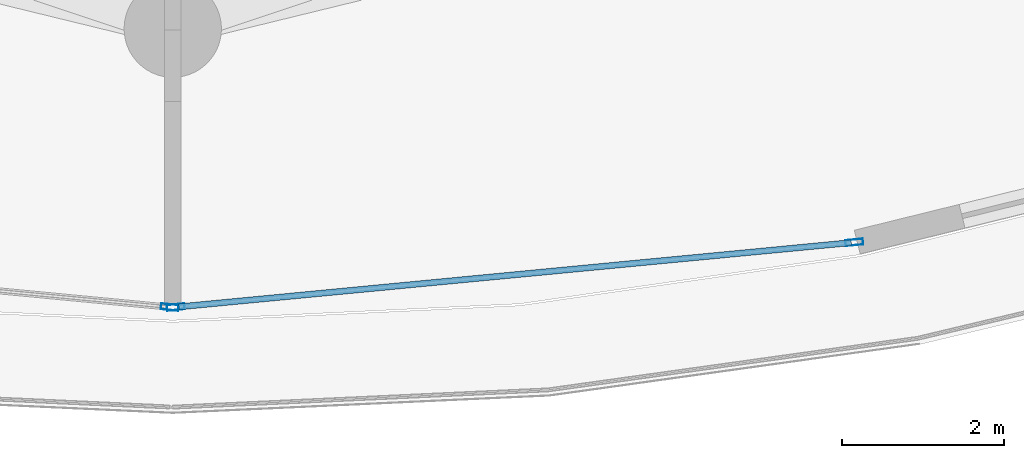
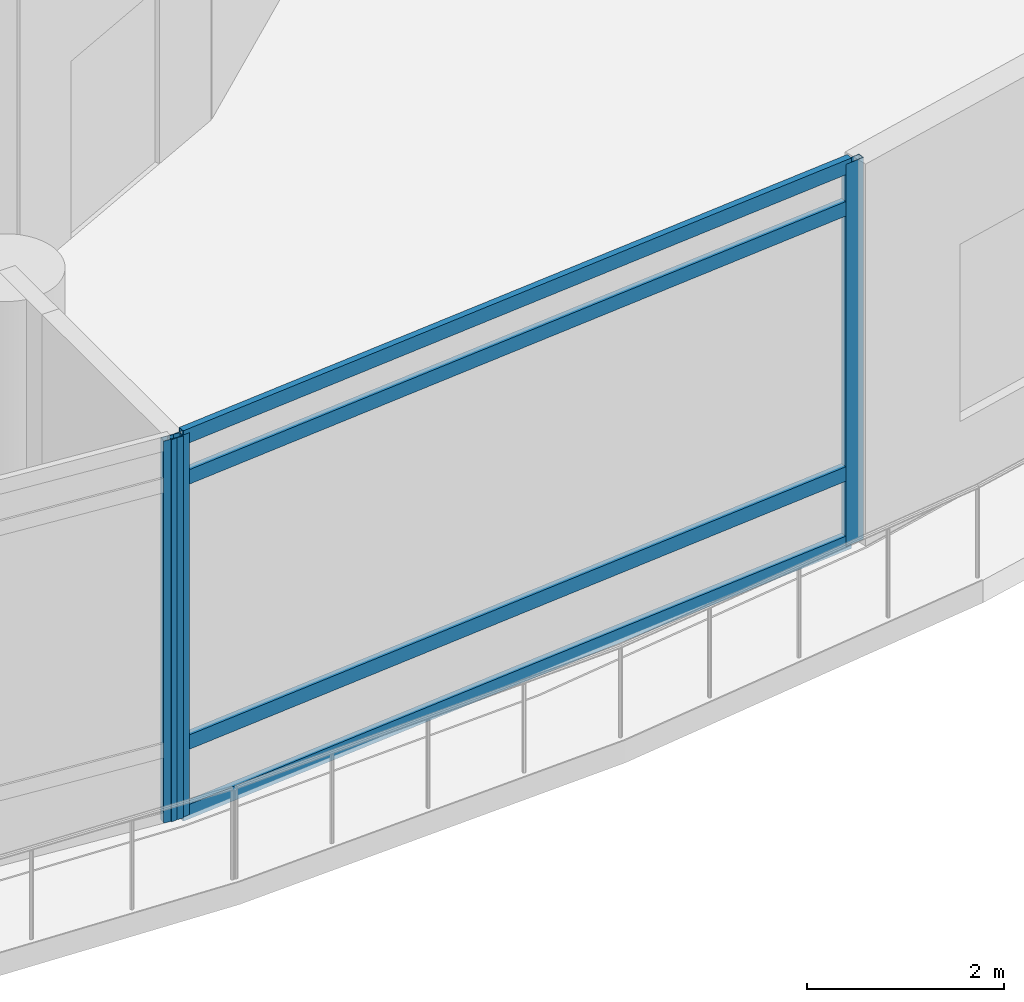
# One storey, part 11 of 34: 7 members, 2 elements without a shape of their own.
"""IFC4 building model written with IfcOpenShell, lengths in metres."""

from ifc_helpers import new_model, si_unit, direction, frame, origin, origin_2d, place, context, subcontext, project, spatial, hollow_rectangle, extrude, material, layer, layer_set, material_profile, profile_set, type_object, element, aggregate, save


model = new_model("IFC4")

# Units and contexts
model_context = context("Model", 3, precision=1e-05, world=origin(), true_north=direction((0.0, 1.0)))
body_context = subcontext(model_context, "Body", "Model", "MODEL_VIEW")
ifc_project = project(units=[si_unit("LENGTHUNIT", "METRE"), si_unit("AREAUNIT", "SQUARE_METRE"), si_unit("VOLUMEUNIT", "CUBIC_METRE"), si_unit("PLANEANGLEUNIT", "RADIAN"), si_unit("MASSUNIT", "GRAM", prefix="KILO")], contexts=[model_context])

# Site, building, storey
site_placement = place(None, origin())
site = spatial("IfcSite", under=ifc_project, at=site_placement, CompositionType="ELEMENT")
building_placement = place(site_placement, origin())
building = spatial("IfcBuilding", under=site, at=building_placement, Name="Nuhasar Tower", CompositionType="ELEMENT")
storey_placement = place(building_placement, frame((0.0, 0.0, 16.0)))
storey = spatial("IfcBuildingStorey", under=building, at=storey_placement, Name="L03", CompositionType="ELEMENT", Elevation=16.0)

# Curtain wall, member
ifc_material = material(Name="Aluminium 6063-T6", Category="aluminium")
ifc_layer = layer(ifc_material, 0.219970703125)
ifc_layer_set = layer_set([ifc_layer], Name="Aluminium 6063-T6")
curtain_wall_type = type_object("IfcCurtainWallType", Name="CW-PODIUM", PredefinedType="NOTDEFINED", material=ifc_layer_set)
curtain_wall_1_placement = place(storey_placement, origin())
curtain_wall_1 = element("IfcCurtainWall", 1, at=curtain_wall_1_placement, inside=storey, type_object=curtain_wall_type, Name="L03 Podium Curtain Wall Bay 18", PredefinedType="NOTDEFINED")
ifc_material_profile_1 = material_profile(ifc_material, hollow_rectangle(XDim=0.074951171875, YDim=0.219970703125, WallThickness=0.0048828125, at=origin_2d()), Name="CWM-1")
ifc_profile_set_1 = profile_set([ifc_material_profile_1], Name="Aluminium 6063-T6")
member_type_1 = type_object("IfcMemberType", Name="CW-MUL-S1", PredefinedType="MULLION", material=ifc_profile_set_1)
member_1_placement = place(storey_placement, frame((38.962646484375, 3.113525390625, 0.0), z_axis=(0.0, 0.0, 1.0), x_axis=(0.095092686697, 0.995468422873, 0.0)))
member_1 = element("IfcMember", 2, at=member_1_placement, type_object=member_type_1, Name="CW-P1 mullion 2", PredefinedType="MULLION", context=body_context, shape_type="SweptSolid", body=[
    extrude(hollow_rectangle(XDim=0.074951171875, YDim=0.219970703125, WallThickness=0.0048828125, at=origin_2d()), origin(), (0.0, 0.0, 1.0), 4.739990234375),
])
aggregate(curtain_wall_1, [member_1])

# Curtain wall, members
curtain_wall_2_placement = place(storey_placement, origin())
curtain_wall_2 = element("IfcCurtainWall", 3, at=curtain_wall_2_placement, inside=storey, type_object=curtain_wall_type, Name="L03 Podium Curtain Wall Bay 19", PredefinedType="NOTDEFINED")
member_2_placement = place(storey_placement, frame((39.037353515625, 3.113525390625, 0.0), z_axis=(0.0, 0.0, 1.0), x_axis=(-0.095092686697, 0.995468422873, 0.0)))
member_2 = element("IfcMember", 4, at=member_2_placement, type_object=member_type_1, Name="CW-P1 mullion 1", PredefinedType="MULLION", context=body_context, shape_type="SweptSolid", body=[
    extrude(hollow_rectangle(XDim=0.074951171875, YDim=0.219970703125, WallThickness=0.0048828125, at=origin_2d()), origin(), (0.0, 0.0, 1.0), 4.739990234375),
])
member_3_placement = place(storey_placement, frame((47.41064453125, 3.913330078125, 0.0), z_axis=(0.0, 0.0, 1.0), x_axis=(-0.095092686697, 0.995468422873, 0.0)))
member_3 = element("IfcMember", 5, at=member_3_placement, type_object=member_type_1, Name="CW-P1 mullion 2", PredefinedType="MULLION", context=body_context, shape_type="SweptSolid", body=[
    extrude(hollow_rectangle(XDim=0.074951171875, YDim=0.219970703125, WallThickness=0.0048828125, at=origin_2d()), origin(), (0.0, 0.0, 1.0), 4.739990234375),
])
ifc_material_profile_2 = material_profile(ifc_material, hollow_rectangle(XDim=0.074951171875, YDim=0.179931640625, WallThickness=0.00439453125, at=origin_2d()), Name="CWT-1")
ifc_profile_set_2 = profile_set([ifc_material_profile_2], Name="Aluminium 6063-T6")
member_type_2 = type_object("IfcMemberType", Name="CW-TRN-S1", PredefinedType="USERDEFINED", material=ifc_profile_set_2)
member_4_placement = place(storey_placement, frame((39.07470703125, 3.1171875, 0.03759765625), z_axis=(0.995468449453, 0.095092408443, 0.0), x_axis=(-0.095092408443, 0.995468449453, 0.0)))
member_4 = element("IfcMember", 6, at=member_4_placement, type_object=member_type_2, Name="CW-P1 transom 1.1", ObjectType="TRANSOM", PredefinedType="USERDEFINED", context=body_context, shape_type="SweptSolid", body=[
    extrude(hollow_rectangle(XDim=0.074951171875, YDim=0.179931640625, WallThickness=0.00439453125, at=origin_2d()), origin(), (0.0, 0.0, 1.0), 8.33642578125),
])
member_5_placement = place(storey_placement, frame((39.07470703125, 3.1171875, 0.89990234375), z_axis=(0.995468449453, 0.095092408443, 0.0), x_axis=(-0.095092408443, 0.995468449453, 0.0)))
member_5 = element("IfcMember", 7, at=member_5_placement, type_object=member_type_2, Name="CW-P1 transom 1.2", ObjectType="TRANSOM", PredefinedType="USERDEFINED", context=body_context, shape_type="SweptSolid", body=[
    extrude(hollow_rectangle(XDim=0.074951171875, YDim=0.179931640625, WallThickness=0.00439453125, at=origin_2d()), origin(), (0.0, 0.0, 1.0), 8.33642578125),
])
member_6_placement = place(storey_placement, frame((39.07470703125, 3.1171875, 4.18994140625), z_axis=(0.995468449453, 0.095092408443, 0.0), x_axis=(-0.095092408443, 0.995468449453, 0.0)))
member_6 = element("IfcMember", 8, at=member_6_placement, type_object=member_type_2, Name="CW-P1 transom 1.3", ObjectType="TRANSOM", PredefinedType="USERDEFINED", context=body_context, shape_type="SweptSolid", body=[
    extrude(hollow_rectangle(XDim=0.074951171875, YDim=0.179931640625, WallThickness=0.00439453125, at=origin_2d()), origin(), (0.0, 0.0, 1.0), 8.33642578125),
])
member_7_placement = place(storey_placement, frame((39.07470703125, 3.1171875, 4.702392578125), z_axis=(0.995468449453, 0.095092408443, 0.0), x_axis=(-0.095092408443, 0.995468449453, 0.0)))
member_7 = element("IfcMember", 9, at=member_7_placement, type_object=member_type_2, Name="CW-P1 transom 1.4", ObjectType="TRANSOM", PredefinedType="USERDEFINED", context=body_context, shape_type="SweptSolid", body=[
    extrude(hollow_rectangle(XDim=0.074951171875, YDim=0.179931640625, WallThickness=0.00439453125, at=origin_2d()), origin(), (0.0, 0.0, 1.0), 8.33642578125),
])
aggregate(curtain_wall_2, [member_2, member_3, member_4, member_5, member_6, member_7])

save(model, "model.ifc")
